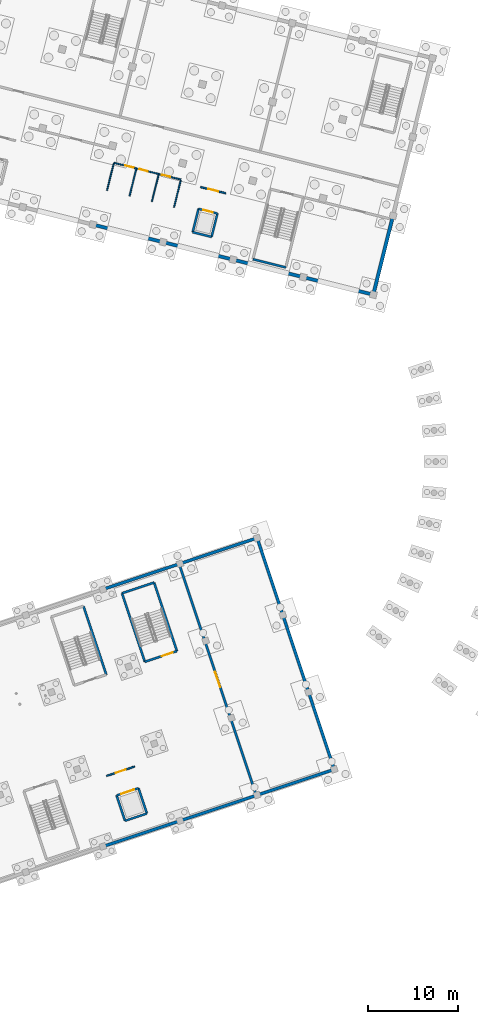
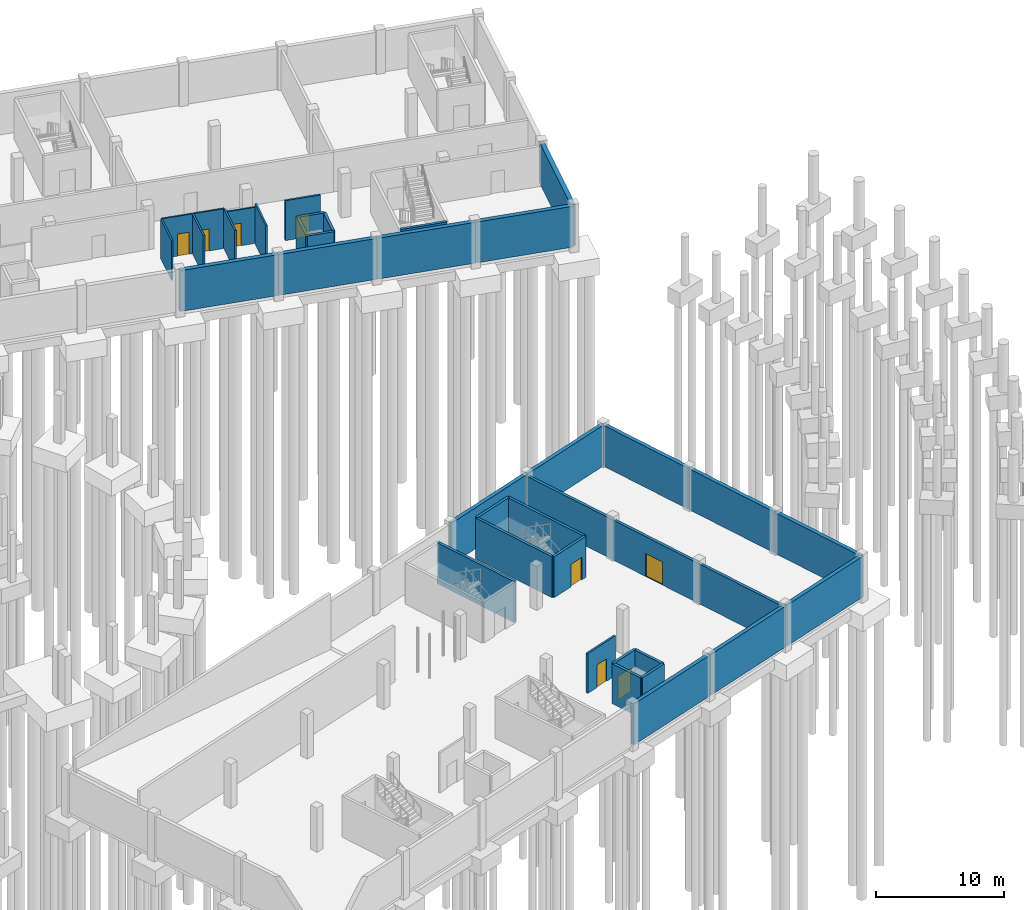
# One storey, part 24 of 36: 37 walls, 9 doors, 9 openings.
"""IFC4 building model written with IfcOpenShell, lengths in metres."""

from ifc_helpers import new_model, si_unit, derived_unit, direction, frame, frame_2d, origin, place, context, subcontext, project, spatial, rectangle, extrude, material, layer, layer_set, type_object, element, fill, save


model = new_model("IFC4")

# Units and contexts
model_context = context("Model", 3, precision=1e-05, world=origin(), true_north=direction((0.0, 1.0)))
body_context = subcontext(model_context, "Body", "Model", "MODEL_VIEW")
ifc_project = project(units=[si_unit("LENGTHUNIT", "METRE"), si_unit("AREAUNIT", "SQUARE_METRE"), si_unit("VOLUMEUNIT", "CUBIC_METRE"), si_unit("PLANEANGLEUNIT", "RADIAN"), si_unit("MASSUNIT", "GRAM", prefix="KILO"), si_unit("THERMODYNAMICTEMPERATUREUNIT", "KELVIN"), si_unit("TIMEUNIT", "SECOND"), derived_unit("THERMALTRANSMITTANCEUNIT", [(si_unit("MASSUNIT", "GRAM", prefix="KILO"), 1), (si_unit("THERMODYNAMICTEMPERATUREUNIT", "KELVIN"), -1), (si_unit("TIMEUNIT", "SECOND"), -3)])], contexts=[model_context])

# Site, building, storey
site_placement = place(None, origin())
site = spatial("IfcSite", under=ifc_project, at=site_placement, CompositionType="ELEMENT")
building_placement = place(site_placement, origin())
building = spatial("IfcBuilding", under=site, at=building_placement, Name="Cambertide Market Hall", CompositionType="ELEMENT")
storey_placement = place(building_placement, frame((0.0, 0.0, -4.199951171875)))
storey = spatial("IfcBuildingStorey", under=building, at=storey_placement, Name="B1", CompositionType="ELEMENT", Elevation=-4.199951171875)

# Wall, opening, door
ifc_material_1 = material(Name="Concrete B35", Category="concrete")
ifc_layer_1 = layer(ifc_material_1, 0.25, Name="Compartment Fire Wall 250")
ifc_layer_set_1 = layer_set([ifc_layer_1], Name="Concrete B35")
wall_type_1 = type_object("IfcWallType", Name="Compartment Fire Wall 250", PredefinedType="SOLIDWALL", material=ifc_layer_set_1)
wall_1_placement = place(storey_placement, frame((157.080322265625, 29.2060546875, 0.0), z_axis=(0.0, 0.0, 1.0), x_axis=(-0.316230513298, 0.948682382286, 0.0)))
wall_1 = element("IfcWall", 1, at=wall_1_placement, inside=storey, type_object=wall_type_1, Name="Basement 1 Interior Wall IW-B1-V3PARK", PredefinedType="SOLIDWALL", context=body_context, shape_type="SweptSolid", body=[
    extrude(rectangle(XDim=26.659912109375, YDim=0.25, at=frame_2d((13.330078125, 0.0))), origin(), (0.0, 0.0, 1.0), 3.800048828125),
])
opening_1_placement = place(wall_1_placement, frame((12.429931640625, 0.0, 0.0)))
opening_1 = element("IfcOpeningElement", 2, at=opening_1_placement, cuts=wall_1, Name="Opening FD-02", PredefinedType="OPENING", context=body_context, shape_type="SweptSolid", body=[
    extrude(rectangle(XDim=1.800048828125, YDim=2.199951171875, at=frame_2d((0.89990234375, 1.10009765625))), frame((0.0, 0.135009765625, 0.0), z_axis=(0.0, -1.0, 0.0), x_axis=(1.0, 0.0, 0.0)), (0.0, 0.0, 1.0), 0.27001953125),
])
ifc_material_2 = material(Name="Powder-Coated Galvanized Sheet Metal", Category="metal")
door_type_1 = type_object("IfcDoorType", Name="Compartment Double Fire Door 1800x2200", OperationType="DOUBLE_DOOR_SINGLE_SWING", PredefinedType="DOOR", material=ifc_material_2)
door_1_placement = place(opening_1_placement, origin())
door_1 = element("IfcDoor", 3, at=door_1_placement, inside=storey, type_object=door_type_1, Name="Basement 1 Door IW-B1-V3PARK-DR1", OperationType="DOUBLE_DOOR_SINGLE_SWING", OverallHeight=2.199951171875, OverallWidth=1.800048828125, PredefinedType="DOOR", context=body_context, shape_type="SweptSolid", body=[
    extrude(rectangle(XDim=1.800048828125, YDim=2.199951171875, at=frame_2d((0.89990234375, 1.10009765625))), frame((0.0, 0.02490234375, 0.0), z_axis=(0.0, -1.0, 0.0), x_axis=(1.0, 0.0, 0.0)), (0.0, 0.0, 1.0), 0.050048828125),
])
fill(opening_1, door_1)

# Walls
ifc_material_3 = material(Name="Concrete B35", Category="concrete")
ifc_layer_2 = layer(ifc_material_3, 0.3349609375, Name="Garage Perimeter Retaining Wall 335")
ifc_layer_set_2 = layer_set([ifc_layer_2], Name="Concrete B35")
wall_type_2 = type_object("IfcWallType", Name="Garage Perimeter Retaining Wall 335", PredefinedType="SOLIDWALL", material=ifc_layer_set_2)
for number, where, z_axis, x_axis, name in (
    (4, (148.690673828125, 26.230224609375, 0.0), (0.0, 0.0, 1.0), (-0.948686010717, -0.3162196279, 0.0), "Basement 1 Exterior Wall EW-B1-V3S-5"),
    (5, (140.152587890625, 51.8447265625, 0.0), (0.0, 0.0, 1.0), (0.948686010717, 0.3162196279, 0.0), "Basement 1 Exterior Wall EW-B1-V3N-6"),
):
    element("IfcWall", number, at=place(storey_placement, frame(where, z_axis=z_axis, x_axis=x_axis)), inside=storey, type_object=wall_type_2, Name=name, PredefinedType="SOLIDWALL", context=body_context, shape_type="SweptSolid", body=[
        extrude(rectangle(XDim=9.0, YDim=0.3349609375, at=frame_2d((4.5, 0.0))), origin(), (0.0, 0.0, 1.0), 3.89990234375),
    ])
for number, where, z_axis, x_axis, name in (
    (6, (157.22900390625, 29.076416015625, 0.0), (0.0, 0.0, 1.0), (-0.948680585407, -0.316235903831, 0.0), "Basement 1 Exterior Wall EW-B1-V3S-6"),
    (7, (148.690673828125, 54.690673828125, 0.0), (0.0, 0.0, 1.0), (0.948680585407, 0.316235903831, 0.0), "Basement 1 Exterior Wall EW-B1-V3N-7"),
):
    element("IfcWall", number, at=place(storey_placement, frame(where, z_axis=z_axis, x_axis=x_axis)), inside=storey, type_object=wall_type_2, Name=name, PredefinedType="SOLIDWALL", context=body_context, shape_type="SweptSolid", body=[
        extrude(rectangle(XDim=9.000244140625, YDim=0.3349609375, at=frame_2d((4.5, 0.0))), origin(), (0.0, 0.0, 1.0), 3.89990234375),
    ])
for number, where, z_axis, x_axis, name in (
    (8, (165.76708984375, 31.92236328125, 0.0), (0.0, 0.0, 1.0), (-0.948686010717, -0.3162196279, 0.0), "Basement 1 Exterior Wall EW-B1-V3S-7"),
    (9, (162.9208984375, 40.46044921875, 0.0), (0.0, 0.0, 1.0), (0.31624404204, -0.948677872554, 0.0), "Basement 1 Exterior Wall EW-B1-V3E-1"),
    (10, (160.074951171875, 48.99853515625, 0.0), (0.0, 0.0, 1.0), (0.3162196279, -0.948686010717, 0.0), "Basement 1 Exterior Wall EW-B1-V3E-2"),
):
    element("IfcWall", number, at=place(storey_placement, frame(where, z_axis=z_axis, x_axis=x_axis)), inside=storey, type_object=wall_type_2, Name=name, PredefinedType="SOLIDWALL", context=body_context, shape_type="SweptSolid", body=[
        extrude(rectangle(XDim=9.0, YDim=0.3349609375, at=frame_2d((4.5, 0.0))), origin(), (0.0, 0.0, 1.0), 3.89990234375),
    ])
wall_2_placement = place(storey_placement, frame((157.22900390625, 57.536865234375, 0.0), z_axis=(0.0, 0.0, 1.0), x_axis=(0.316211490179, -0.948688723175, 0.0)))
element("IfcWall", 11, at=wall_2_placement, inside=storey, type_object=wall_type_2, Name="Basement 1 Exterior Wall EW-B1-V3E-3", PredefinedType="SOLIDWALL", context=body_context, shape_type="SweptSolid", body=[
    extrude(rectangle(XDim=9.000244140625, YDim=0.3349609375, at=frame_2d((4.5, 0.0))), origin(), (0.0, 0.0, 1.0), 3.89990234375),
])
ifc_material_4 = material(Name="Concrete B35", Category="concrete")
ifc_layer_3 = layer(ifc_material_4, 0.3798828125, Name="Heavy Cistern Retaining Wall 380")
ifc_layer_set_3 = layer_set([ifc_layer_3], Name="Concrete B35")
wall_type_3 = type_object("IfcWallType", Name="Heavy Cistern Retaining Wall 380", PredefinedType="SOLIDWALL", material=ifc_layer_set_3)
wall_3_placement = place(storey_placement, frame((146.8056640625, 90.298583984375, 0.0), z_axis=(0.0, 0.0, 1.0), x_axis=(-0.970144295309, 0.242528444268, 0.0)))
element("IfcWall", 12, at=wall_3_placement, inside=storey, type_object=wall_type_3, Name="Basement 1 Exterior Wall EW-B1-V4S-5", PredefinedType="SOLIDWALL", context=body_context, shape_type="SweptSolid", body=[
    extrude(rectangle(XDim=7.999755859375, YDim=0.3798828125, at=frame_2d((4.0, 0.0))), origin(), (0.0, 0.0, 1.0), 3.89990234375),
])
for number, where, z_axis, x_axis, name in (
    (13, (154.56689453125, 88.3583984375, 0.0), (0.0, 0.0, 1.0), (-0.970146090314, 0.242521263911, 0.0), "Basement 1 Exterior Wall EW-B1-V4S-6"),
    (14, (162.327880859375, 86.41796875, 0.0), (0.0, 0.0, 1.0), (-0.970137114374, 0.242557167103, 0.0), "Basement 1 Exterior Wall EW-B1-V4S-7"),
    (15, (170.089111328125, 84.477783203125, 0.0), (0.0, 0.0, 1.0), (-0.970146090314, 0.242521263911, 0.0), "Basement 1 Exterior Wall EW-B1-V4S-8"),
):
    element("IfcWall", number, at=place(storey_placement, frame(where, z_axis=z_axis, x_axis=x_axis)), inside=storey, type_object=wall_type_3, Name=name, PredefinedType="SOLIDWALL", context=body_context, shape_type="SweptSolid", body=[
        extrude(rectangle(XDim=8.0, YDim=0.3798828125, at=frame_2d((4.0, 0.0))), origin(), (0.0, 0.0, 1.0), 3.89990234375),
    ])
wall_4_placement = place(storey_placement, frame((172.27197265625, 93.208984375, 0.0), z_axis=(0.0, 0.0, 1.0), x_axis=(-0.242542007841, -0.970140904422, 0.0)))
element("IfcWall", 16, at=wall_4_placement, inside=storey, type_object=wall_type_3, Name="Basement 1 Exterior Wall EW-B1-V4E-1", PredefinedType="SOLIDWALL", context=body_context, shape_type="SweptSolid", body=[
    extrude(rectangle(XDim=9.0, YDim=0.3798828125, at=frame_2d((4.5, 0.0))), origin(), (0.0, 0.0, 1.0), 3.89990234375),
])

# Wall, opening, door
ifc_material_5 = material(Name="Autoclaved Aerated Concrete Blockwork M7.5", Category="masonry")
ifc_layer_4 = layer(ifc_material_5, 0.169921875, Name="Lift Lobby Fire Partition 170")
ifc_layer_set_4 = layer_set([ifc_layer_4], Name="Autoclaved Aerated Concrete Blockwork M7.5")
wall_type_4 = type_object("IfcWallType", Name="Lift Lobby Fire Partition 170", PredefinedType="PARTITIONING", material=ifc_layer_set_4)
wall_5_placement = place(storey_placement, frame((150.979736328125, 96.398193359375, 0.0), z_axis=(0.0, 0.0, 1.0), x_axis=(0.970147521275, -0.242515539634, 0.0)))
wall_5 = element("IfcWall", 17, at=wall_5_placement, inside=storey, type_object=wall_type_4, Name="Basement 1 Interior Wall LLW-LP-04-B1", PredefinedType="PARTITIONING", context=body_context, shape_type="SweptSolid", body=[
    extrude(rectangle(XDim=2.860107421875, YDim=0.169921875, at=frame_2d((1.43017578125, 0.0))), origin(), (0.0, 0.0, 1.0), 3.800048828125),
])
opening_2_placement = place(wall_5_placement, frame((0.85498046875, 0.0, 0.0)))
opening_2 = element("IfcOpeningElement", 18, at=opening_2_placement, cuts=wall_5, Name="Opening KD-02", PredefinedType="OPENING", context=body_context, shape_type="SweptSolid", body=[
    extrude(rectangle(XDim=1.14990234375, YDim=2.14990234375, at=frame_2d((0.574951171875, 1.074951171875))), frame((0.0, 0.094970703125, 0.0), z_axis=(0.0, -1.0, 0.0), x_axis=(1.0, 0.0, 0.0)), (0.0, 0.0, 1.0), 0.18994140625),
])
ifc_material_6 = material(Name="Stainless Steel Grade 316", Category="metal")
door_type_2 = type_object("IfcDoorType", Name="Lift Lobby Smoke-Stop Door 1150x2150", OperationType="NOTDEFINED", PredefinedType="DOOR", material=ifc_material_6)
door_2_placement = place(opening_2_placement, origin())
door_2 = element("IfcDoor", 19, at=door_2_placement, inside=storey, type_object=door_type_2, Name="Basement 1 Door LLW-LP-04-B1-DR1", OperationType="SINGLE_SWING_RIGHT", OverallHeight=2.14990234375, OverallWidth=1.14990234375, PredefinedType="DOOR", context=body_context, shape_type="SweptSolid", body=[
    extrude(rectangle(XDim=1.14990234375, YDim=2.14990234375, at=frame_2d((0.574951171875, 1.074951171875))), frame((0.0, 0.02490234375, 0.0), z_axis=(0.0, -1.0, 0.0), x_axis=(1.0, 0.0, 0.0)), (0.0, 0.0, 1.0), 0.050048828125),
])
fill(opening_2, door_2)

wall_6_placement = place(storey_placement, frame((140.5732421875, 31.1982421875, 0.0), z_axis=(0.0, 0.0, 1.0), x_axis=(0.948698274856, 0.316182832053, 0.0)))
wall_6 = element("IfcWall", 20, at=wall_6_placement, inside=storey, type_object=wall_type_4, Name="Basement 1 Interior Wall LLW-LG-02-B1", PredefinedType="PARTITIONING", context=body_context, shape_type="SweptSolid", body=[
    extrude(rectangle(XDim=3.260009765625, YDim=0.169921875, at=frame_2d((1.6298828125, 0.0))), origin(), (0.0, 0.0, 1.0), 3.800048828125),
])
opening_3_placement = place(wall_6_placement, frame((1.054931640625, 0.0, 0.0)))
opening_3 = element("IfcOpeningElement", 21, at=opening_3_placement, cuts=wall_6, Name="Opening KD-02", PredefinedType="OPENING", context=body_context, shape_type="SweptSolid", body=[
    extrude(rectangle(XDim=1.14990234375, YDim=2.14990234375, at=frame_2d((0.574951171875, 1.074951171875))), frame((0.0, 0.094970703125, 0.0), z_axis=(0.0, -1.0, 0.0), x_axis=(1.0, 0.0, 0.0)), (0.0, 0.0, 1.0), 0.18994140625),
])
door_3_placement = place(opening_3_placement, origin())
door_3 = element("IfcDoor", 22, at=door_3_placement, inside=storey, type_object=door_type_2, Name="Basement 1 Door LLW-LG-02-B1-DR1", OperationType="SINGLE_SWING_RIGHT", OverallHeight=2.14990234375, OverallWidth=1.14990234375, PredefinedType="DOOR", context=body_context, shape_type="SweptSolid", body=[
    extrude(rectangle(XDim=1.14990234375, YDim=2.14990234375, at=frame_2d((0.574951171875, 1.074951171875))), frame((0.0, 0.02490234375, 0.0), z_axis=(0.0, -1.0, 0.0), x_axis=(1.0, 0.0, 0.0)), (0.0, 0.0, 1.0), 0.050048828125),
])
fill(opening_3, door_3)

ifc_material_7 = material(Name="Autoclaved Aerated Concrete Blockwork M7.5", Category="masonry")
ifc_layer_5 = layer(ifc_material_7, 0.139892578125, Name="Sanitary & Wet-Area Masonry Partition 140")
ifc_layer_set_5 = layer_set([ifc_layer_5], Name="Autoclaved Aerated Concrete Blockwork M7.5")
wall_type_5 = type_object("IfcWallType", Name="Sanitary & Wet-Area Masonry Partition 140", PredefinedType="PARTITIONING", material=ifc_layer_set_5)
wall_7_placement = place(storey_placement, frame((141.372802734375, 99.078369140625, 0.0), z_axis=(0.0, 0.0, 1.0), x_axis=(0.970148131734, -0.242513097571, 0.0)))
wall_7 = element("IfcWall", 23, at=wall_7_placement, inside=storey, type_object=wall_type_5, Name="Basement 1 Interior Wall WCW-B1-B1B-F1", PredefinedType="PARTITIONING", context=body_context, shape_type="SweptSolid", body=[
    extrude(rectangle(XDim=2.550048828125, YDim=0.139892578125, at=frame_2d((1.27490234375, 0.0))), origin(), (0.0, 0.0, 1.0), 3.800048828125),
])
opening_4_placement = place(wall_7_placement, frame((1.280029296875, 0.0, 0.0)))
opening_4 = element("IfcOpeningElement", 24, at=opening_4_placement, cuts=wall_7, Name="Opening ID-04", PredefinedType="OPENING", context=body_context, shape_type="SweptSolid", body=[
    extrude(rectangle(XDim=0.949951171875, YDim=2.10009765625, at=frame_2d((0.47509765625, 1.050048828125))), frame((0.0, 0.079833984375, 0.0), z_axis=(0.0, -1.0, 0.0), x_axis=(1.0, 0.0, 0.0)), (0.0, 0.0, 1.0), 0.159912109375),
])
ifc_material_8 = material(Name="Champagne Marine Anodized Aluminium 6063-T6 AA25", Category="aluminium")
door_type_3 = type_object("IfcDoorType", Name="WC & Office Single Door 950x2100", OperationType="NOTDEFINED", PredefinedType="DOOR", material=ifc_material_8)
door_4_placement = place(opening_4_placement, origin())
door_4 = element("IfcDoor", 25, at=door_4_placement, inside=storey, type_object=door_type_3, Name="Basement 1 Door WCW-B1-B1B-F1-DR1", OperationType="SINGLE_SWING_LEFT", OverallHeight=2.10009765625, OverallWidth=0.949951171875, PredefinedType="DOOR", context=body_context, shape_type="SweptSolid", body=[
    extrude(rectangle(XDim=0.949951171875, YDim=2.10009765625, at=frame_2d((0.47509765625, 1.050048828125))), frame((0.0, 0.02490234375, 0.0), z_axis=(0.0, -1.0, 0.0), x_axis=(1.0, 0.0, 0.0)), (0.0, 0.0, 1.0), 0.050048828125),
])
fill(opening_4, door_4)

wall_8_placement = place(storey_placement, frame((143.895263671875, 98.44775390625, 0.0), z_axis=(0.0, 0.0, 1.0), x_axis=(0.970153988463, -0.242489667139, 0.0)))
wall_8 = element("IfcWall", 26, at=wall_8_placement, inside=storey, type_object=wall_type_5, Name="Basement 1 Interior Wall WCW-B1-B1B-F2", PredefinedType="PARTITIONING", context=body_context, shape_type="SweptSolid", body=[
    extrude(rectangle(XDim=2.5, YDim=0.139892578125, at=frame_2d((1.25, 0.0))), origin(), (0.0, 0.0, 1.0), 3.800048828125),
])
opening_5_placement = place(wall_8_placement, frame((0.320068359375, 0.0, 0.0)))
opening_5 = element("IfcOpeningElement", 27, at=opening_5_placement, cuts=wall_8, Name="Opening ID-04", PredefinedType="OPENING", context=body_context, shape_type="SweptSolid", body=[
    extrude(rectangle(XDim=0.949951171875, YDim=2.10009765625, at=frame_2d((0.47509765625, 1.050048828125))), frame((0.0, 0.079833984375, 0.0), z_axis=(0.0, -1.0, 0.0), x_axis=(1.0, 0.0, 0.0)), (0.0, 0.0, 1.0), 0.159912109375),
])
door_5_placement = place(opening_5_placement, origin())
door_5 = element("IfcDoor", 28, at=door_5_placement, inside=storey, type_object=door_type_3, Name="Basement 1 Door WCW-B1-B1B-F2-DR1", OperationType="SINGLE_SWING_RIGHT", OverallHeight=2.10009765625, OverallWidth=0.949951171875, PredefinedType="DOOR", context=body_context, shape_type="SweptSolid", body=[
    extrude(rectangle(XDim=0.949951171875, YDim=2.10009765625, at=frame_2d((0.47509765625, 1.050048828125))), frame((0.0, 0.02490234375, 0.0), z_axis=(0.0, -1.0, 0.0), x_axis=(1.0, 0.0, 0.0)), (0.0, 0.0, 1.0), 0.050048828125),
])
fill(opening_5, door_5)

wall_9_placement = place(storey_placement, frame((146.369140625, 97.829345703125, 0.0), z_axis=(0.0, 0.0, 1.0), x_axis=(0.970131009923, -0.242581581301, 0.0)))
wall_9 = element("IfcWall", 29, at=wall_9_placement, inside=storey, type_object=wall_type_5, Name="Basement 1 Interior Wall WCW-B1-B1B-F3", PredefinedType="PARTITIONING", context=body_context, shape_type="SweptSolid", body=[
    extrude(rectangle(XDim=2.5, YDim=0.139892578125, at=frame_2d((1.25, 0.0))), origin(), (0.0, 0.0, 1.0), 3.449951171875),
])
opening_6_placement = place(wall_9_placement, frame((0.320068359375, 0.0, 0.0)))
opening_6 = element("IfcOpeningElement", 30, at=opening_6_placement, cuts=wall_9, Name="Opening ID-05", PredefinedType="OPENING", context=body_context, shape_type="SweptSolid", body=[
    extrude(rectangle(XDim=0.97998046875, YDim=2.14990234375, at=frame_2d((0.489990234375, 1.074951171875))), frame((0.0, 0.079833984375, 0.0), z_axis=(0.0, -1.0, 0.0), x_axis=(1.0, 0.0, 0.0)), (0.0, 0.0, 1.0), 0.159912109375),
])
ifc_material_9 = material(Name="Champagne Marine Anodized Aluminium 6063-T6 AA25", Category="aluminium")
door_type_4 = type_object("IfcDoorType", Name="Accessible WC Outward Door 980x2150", OperationType="NOTDEFINED", PredefinedType="DOOR", material=ifc_material_9)
door_6_placement = place(opening_6_placement, origin())
door_6 = element("IfcDoor", 31, at=door_6_placement, inside=storey, type_object=door_type_4, Name="Basement 1 Door WCW-B1-B1B-F3-DR1", OperationType="SINGLE_SWING_LEFT", OverallHeight=2.14990234375, OverallWidth=0.97998046875, PredefinedType="DOOR", context=body_context, shape_type="SweptSolid", body=[
    extrude(rectangle(XDim=0.97998046875, YDim=2.14990234375, at=frame_2d((0.489990234375, 1.074951171875))), frame((0.0, 0.02490234375, 0.0), z_axis=(0.0, -1.0, 0.0), x_axis=(1.0, 0.0, 0.0)), (0.0, 0.0, 1.0), 0.050048828125),
])
fill(opening_6, door_6)

# Walls
wall_10_placement = place(storey_placement, frame((143.102294921875, 95.399169921875, 0.0), z_axis=(0.0, 0.0, 1.0), x_axis=(0.242498561862, 0.970151765187, 0.0)))
element("IfcWall", 32, at=wall_10_placement, inside=storey, type_object=wall_type_5, Name="Basement 1 Interior Wall WCW-B1-B1B-D1", PredefinedType="PARTITIONING", context=body_context, shape_type="SweptSolid", body=[
    extrude(rectangle(XDim=3.099853515625, YDim=0.139892578125, at=frame_2d((1.5498046875, 0.0))), origin(), (0.0, 0.0, 1.0), 3.800048828125),
])
wall_11_placement = place(storey_placement, frame((145.575927734375, 94.780517578125, 0.0), z_axis=(0.0, 0.0, 1.0), x_axis=(0.242554154721, 0.970137867536, 0.0)))
element("IfcWall", 33, at=wall_11_placement, inside=storey, type_object=wall_type_5, Name="Basement 1 Interior Wall WCW-B1-B1B-D2", PredefinedType="PARTITIONING", context=body_context, shape_type="SweptSolid", body=[
    extrude(rectangle(XDim=3.10009765625, YDim=0.139892578125, at=frame_2d((1.550048828125, 0.0))), origin(), (0.0, 0.0, 1.0), 3.800048828125),
])
wall_12_placement = place(storey_placement, frame((140.60888671875, 96.0224609375, 0.0), z_axis=(0.0, 0.0, 1.0), x_axis=(0.242572687149, 0.970133233865, 0.0)))
element("IfcWall", 34, at=wall_12_placement, inside=storey, type_object=wall_type_5, Name="Basement 1 Interior Wall WCW-B1-B1B-L", PredefinedType="PARTITIONING", context=body_context, shape_type="SweptSolid", body=[
    extrude(rectangle(XDim=3.099853515625, YDim=0.139892578125, at=frame_2d((1.5498046875, 0.0))), origin(), (0.0, 0.0, 1.0), 3.800048828125),
])
wall_13_placement = place(storey_placement, frame((148.030517578125, 94.1669921875, 0.0), z_axis=(0.0, 0.0, 1.0), x_axis=(0.242554154721, 0.970137867536, 0.0)))
element("IfcWall", 35, at=wall_13_placement, inside=storey, type_object=wall_type_5, Name="Basement 1 Interior Wall WCW-B1-B1B-R", PredefinedType="PARTITIONING", context=body_context, shape_type="SweptSolid", body=[
    extrude(rectangle(XDim=3.10009765625, YDim=0.139892578125, at=frame_2d((1.550048828125, 0.0))), origin(), (0.0, 0.0, 1.0), 3.800048828125),
])

# Wall, opening, door
ifc_material_10 = material(Name="Concrete B35", Category="concrete")
ifc_layer_6 = layer(ifc_material_10, 0.239990234375, Name="Stair & Lift Core Shaft Wall 240")
ifc_layer_set_6 = layer_set([ifc_layer_6], Name="Concrete B35")
wall_type_6 = type_object("IfcWallType", Name="Stair & Lift Core Shaft Wall 240", PredefinedType="SOLIDWALL", material=ifc_layer_set_6)
wall_14_placement = place(storey_placement, frame((148.358642578125, 45.01416015625, 0.0), z_axis=(0.0, 0.0, 1.0), x_axis=(-0.94868980821, -0.316208234867, 0.0)))
wall_14 = element("IfcWall", 36, at=wall_14_placement, inside=storey, type_object=wall_type_6, Name="Basement 1 Interior Wall SHW-ST-05B-B1-NEAR", PredefinedType="SOLIDWALL", context=body_context, shape_type="SweptSolid", body=[
    extrude(rectangle(XDim=3.75, YDim=0.239990234375, at=frame_2d((1.875, 0.0))), origin(), (0.0, 0.0, 1.0), 3.89990234375),
])
opening_7_placement = place(wall_14_placement, frame((0.489990234375, 0.0, 0.0)))
opening_7 = element("IfcOpeningElement", 37, at=opening_7_placement, cuts=wall_14, Name="Opening FD-01", PredefinedType="OPENING", context=body_context, shape_type="SweptSolid", body=[
    extrude(rectangle(XDim=1.300048828125, YDim=2.14990234375, at=frame_2d((0.64990234375, 1.074951171875))), frame((0.0, 0.1298828125, 0.0), z_axis=(0.0, -1.0, 0.0), x_axis=(1.0, 0.0, 0.0)), (0.0, 0.0, 1.0), 0.260009765625),
])
ifc_material_11 = material(Name="Powder-Coated Galvanized Sheet Metal", Category="metal")
door_type_5 = type_object("IfcDoorType", Name="Stair Core Fire Door 1300x2150", OperationType="NOTDEFINED", PredefinedType="DOOR", material=ifc_material_11)
door_7_placement = place(opening_7_placement, origin())
door_7 = element("IfcDoor", 38, at=door_7_placement, inside=storey, type_object=door_type_5, Name="Basement 1 Door SHW-ST-05B-B1-NEAR-DR1", OperationType="SINGLE_SWING_RIGHT", OverallHeight=2.14990234375, OverallWidth=1.300048828125, PredefinedType="DOOR", context=body_context, shape_type="SweptSolid", body=[
    extrude(rectangle(XDim=1.300048828125, YDim=2.14990234375, at=frame_2d((0.64990234375, 1.074951171875))), frame((0.0, 0.02490234375, 0.0), z_axis=(0.0, -1.0, 0.0), x_axis=(1.0, 0.0, 0.0)), (0.0, 0.0, 1.0), 0.050048828125),
])
fill(opening_7, door_7)

# Walls
wall_15_placement = place(storey_placement, frame((145.828857421875, 52.603515625, 0.0), z_axis=(0.0, 0.0, 1.0), x_axis=(0.316227766017, -0.948683298051, 0.0)))
element("IfcWall", 39, at=wall_15_placement, inside=storey, type_object=wall_type_6, Name="Basement 1 Interior Wall SHW-ST-05B-B1-L", PredefinedType="SOLIDWALL", context=body_context, shape_type="SweptSolid", body=[
    extrude(rectangle(XDim=8.0, YDim=0.239990234375, at=frame_2d((4.0, 0.0))), origin(), (0.0, 0.0, 1.0), 3.89990234375),
])
wall_16_placement = place(storey_placement, frame((142.271240234375, 51.417724609375, 0.0), z_axis=(0.0, 0.0, 1.0), x_axis=(0.94868980821, 0.316208234867, 0.0)))
element("IfcWall", 40, at=wall_16_placement, inside=storey, type_object=wall_type_6, Name="Basement 1 Interior Wall SHW-ST-05B-B1-FAR", PredefinedType="SOLIDWALL", context=body_context, shape_type="SweptSolid", body=[
    extrude(rectangle(XDim=3.75, YDim=0.239990234375, at=frame_2d((1.875, 0.0))), origin(), (0.0, 0.0, 1.0), 3.89990234375),
])
for number, where, z_axis, x_axis, name in (
    (41, (144.801025390625, 43.828369140625, 0.0), (0.0, 0.0, 1.0), (-0.316227766017, 0.948683298051, 0.0), "Basement 1 Interior Wall SHW-ST-05B-B1-R"),
    (42, (138.002197265625, 49.994873046875, 0.0), (0.0, 0.0, 1.0), (0.31621861086, -0.94868634972, 0.0), "Basement 1 Interior Wall SHW-ST-06B-B1-L"),
):
    element("IfcWall", number, at=place(storey_placement, frame(where, z_axis=z_axis, x_axis=x_axis)), inside=storey, type_object=wall_type_6, Name=name, PredefinedType="SOLIDWALL", context=body_context, shape_type="SweptSolid", body=[
        extrude(rectangle(XDim=8.0, YDim=0.239990234375, at=frame_2d((4.0, 0.0))), origin(), (0.0, 0.0, 1.0), 3.89990234375),
    ])
wall_17_placement = place(storey_placement, frame((160.406005859375, 87.4912109375, 0.0), z_axis=(0.0, 0.0, 1.0), x_axis=(-0.970150158722, 0.242504988675, 0.0)))
element("IfcWall", 43, at=wall_17_placement, inside=storey, type_object=wall_type_6, Name="Basement 1 Interior Wall SHW-ST-08A-B1-FAR", PredefinedType="SOLIDWALL", context=body_context, shape_type="SweptSolid", body=[
    extrude(rectangle(XDim=3.750244140625, YDim=0.239990234375, at=frame_2d((1.875, 0.0))), origin(), (0.0, 0.0, 1.0), 3.89990234375),
])
wall_18_placement = place(storey_placement, frame((152.1875, 90.880615234375, 0.0), z_axis=(0.0, 0.0, 1.0), x_axis=(-0.970135850962, 0.242562220222, 0.0)))
element("IfcWall", 44, at=wall_18_placement, inside=storey, type_object=wall_type_6, Name="Basement 1 Interior Wall LSH-LP-04-B1-S", PredefinedType="SOLIDWALL", context=body_context, shape_type="SweptSolid", body=[
    extrude(rectangle(XDim=2.159912109375, YDim=0.239990234375, at=frame_2d((1.080078125, 0.0))), origin(), (0.0, 0.0, 1.0), 3.800048828125),
])

# Wall, opening, door
wall_19_placement = place(storey_placement, frame((150.7373046875, 93.985107421875, 0.0), z_axis=(0.0, 0.0, 1.0), x_axis=(0.970135850962, -0.242562220222, 0.0)))
wall_19 = element("IfcWall", 45, at=wall_19_placement, inside=storey, type_object=wall_type_6, Name="Basement 1 Interior Wall LSH-LP-04-B1-N", PredefinedType="SOLIDWALL", context=body_context, shape_type="SweptSolid", body=[
    extrude(rectangle(XDim=2.159912109375, YDim=0.239990234375, at=frame_2d((1.080078125, 0.0))), origin(), (0.0, 0.0, 1.0), 3.800048828125),
])
opening_8_placement = place(wall_19_placement, frame((0.530029296875, 0.0, 0.0)))
opening_8 = element("IfcOpeningElement", 46, at=opening_8_placement, cuts=wall_19, Name="Opening LD-01", PredefinedType="OPENING", context=body_context, shape_type="SweptSolid", body=[
    extrude(rectangle(XDim=1.10009765625, YDim=2.14990234375, at=frame_2d((0.550048828125, 1.074951171875))), frame((0.0, 0.1298828125, 0.0), z_axis=(0.0, -1.0, 0.0), x_axis=(1.0, 0.0, 0.0)), (0.0, 0.0, 1.0), 0.260009765625),
])
ifc_material_12 = material(Name="Stainless Steel Grade 316", Category="metal")
door_type_6 = type_object("IfcDoorType", Name="Passenger Lift Sliding Landing Door 1100x2150", OperationType="DOUBLE_DOOR_SLIDING", PredefinedType="DOOR", material=ifc_material_12)
door_8_placement = place(opening_8_placement, origin())
door_8 = element("IfcDoor", 47, at=door_8_placement, inside=storey, type_object=door_type_6, Name="Basement 1 Door LSH-LP-04-B1-N-DR1", OperationType="DOUBLE_DOOR_SLIDING", OverallHeight=2.14990234375, OverallWidth=1.10009765625, PredefinedType="DOOR", context=body_context, shape_type="SweptSolid", body=[
    extrude(rectangle(XDim=1.10009765625, YDim=2.14990234375, at=frame_2d((0.550048828125, 1.074951171875))), frame((0.0, 0.02490234375, 0.0), z_axis=(0.0, -1.0, 0.0), x_axis=(1.0, 0.0, 0.0)), (0.0, 0.0, 1.0), 0.050048828125),
])
fill(opening_8, door_8)

# Walls
for number, where, z_axis, x_axis, name in (
    (48, (150.092041015625, 91.404541015625, 0.0), (0.0, 0.0, 1.0), (0.242578816146, 0.970131701346, 0.0), "Basement 1 Interior Wall LSH-LP-04-B1-W"),
    (49, (152.832763671875, 93.461181640625, 0.0), (0.0, 0.0, 1.0), (-0.242578816146, -0.970131701346, 0.0), "Basement 1 Interior Wall LSH-LP-04-B1-E"),
):
    element("IfcWall", number, at=place(storey_placement, frame(where, z_axis=z_axis, x_axis=x_axis)), inside=storey, type_object=wall_type_6, Name=name, PredefinedType="SOLIDWALL", context=body_context, shape_type="SweptSolid", body=[
        extrude(rectangle(XDim=2.659912109375, YDim=0.239990234375, at=frame_2d((1.330078125, 0.0))), origin(), (0.0, 0.0, 1.0), 3.800048828125),
    ])
wall_20_placement = place(storey_placement, frame((145.02880859375, 27.033447265625, 0.0), z_axis=(0.0, 0.0, 1.0), x_axis=(-0.948683298051, -0.316227766017, 0.0)))
element("IfcWall", 50, at=wall_20_placement, inside=storey, type_object=wall_type_6, Name="Basement 1 Interior Wall LSH-LG-02-B1-S", PredefinedType="SOLIDWALL", context=body_context, shape_type="SweptSolid", body=[
    extrude(rectangle(XDim=2.56005859375, YDim=0.239990234375, at=frame_2d((1.280029296875, 0.0))), origin(), (0.0, 0.0, 1.0), 3.800048828125),
])

# Wall, opening, door
wall_21_placement = place(storey_placement, frame((141.664306640625, 29.031982421875, 0.0), z_axis=(0.0, 0.0, 1.0), x_axis=(0.948673760334, 0.316256377729, 0.0)))
wall_21 = element("IfcWall", 51, at=wall_21_placement, inside=storey, type_object=wall_type_6, Name="Basement 1 Interior Wall LSH-LG-02-B1-N", PredefinedType="SOLIDWALL", context=body_context, shape_type="SweptSolid", body=[
    extrude(rectangle(XDim=2.559814453125, YDim=0.239990234375, at=frame_2d((1.27978515625, 0.0))), origin(), (0.0, 0.0, 1.0), 3.800048828125),
])
opening_9_placement = place(wall_21_placement, frame((0.530029296875, 0.0, 0.0)))
opening_9 = element("IfcOpeningElement", 52, at=opening_9_placement, cuts=wall_21, Name="Opening LD-02", PredefinedType="OPENING", context=body_context, shape_type="SweptSolid", body=[
    extrude(rectangle(XDim=1.5, YDim=2.25, at=frame_2d((0.75, 1.125))), frame((0.0, 0.1298828125, 0.0), z_axis=(0.0, -1.0, 0.0), x_axis=(1.0, 0.0, 0.0)), (0.0, 0.0, 1.0), 0.260009765625),
])
ifc_material_13 = material(Name="Stainless Steel Grade 316", Category="metal")
door_type_7 = type_object("IfcDoorType", Name="Goods Lift Sliding Landing Door 1500x2250", OperationType="DOUBLE_DOOR_SLIDING", PredefinedType="DOOR", material=ifc_material_13)
door_9_placement = place(opening_9_placement, origin())
door_9 = element("IfcDoor", 53, at=door_9_placement, inside=storey, type_object=door_type_7, Name="Basement 1 Door LSH-LG-02-B1-N-DR1", OperationType="DOUBLE_DOOR_SLIDING", OverallHeight=2.25, OverallWidth=1.5, PredefinedType="DOOR", context=body_context, shape_type="SweptSolid", body=[
    extrude(rectangle(XDim=1.5, YDim=2.25, at=frame_2d((0.75, 1.125))), frame((0.0, 0.02490234375, 0.0), z_axis=(0.0, -1.0, 0.0), x_axis=(1.0, 0.0, 0.0)), (0.0, 0.0, 1.0), 0.050048828125),
])
fill(opening_9, door_9)

# Walls
for number, where, z_axis, x_axis, name in (
    (54, (142.60009765625, 26.223876953125, 0.0), (0.0, 0.0, 1.0), (-0.316153531243, 0.948708039748, 0.0), "Basement 1 Interior Wall LSH-LG-02-B1-W"),
    (55, (144.0927734375, 29.841552734375, 0.0), (0.0, 0.0, 1.0), (0.316227766017, -0.948683298051, 0.0), "Basement 1 Interior Wall LSH-LG-02-B1-E"),
):
    element("IfcWall", number, at=place(storey_placement, frame(where, z_axis=z_axis, x_axis=x_axis)), inside=storey, type_object=wall_type_6, Name=name, PredefinedType="SOLIDWALL", context=body_context, shape_type="SweptSolid", body=[
        extrude(rectangle(XDim=2.9599609375, YDim=0.239990234375, at=frame_2d((1.47998046875, 0.0))), origin(), (0.0, 0.0, 1.0), 3.800048828125),
    ])

save(model, "model.ifc")
